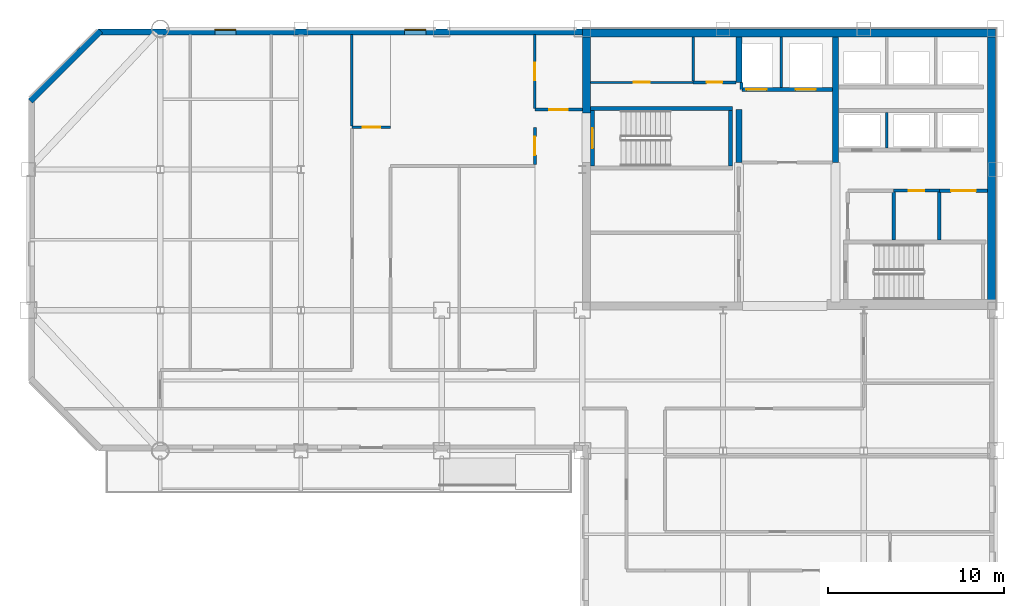
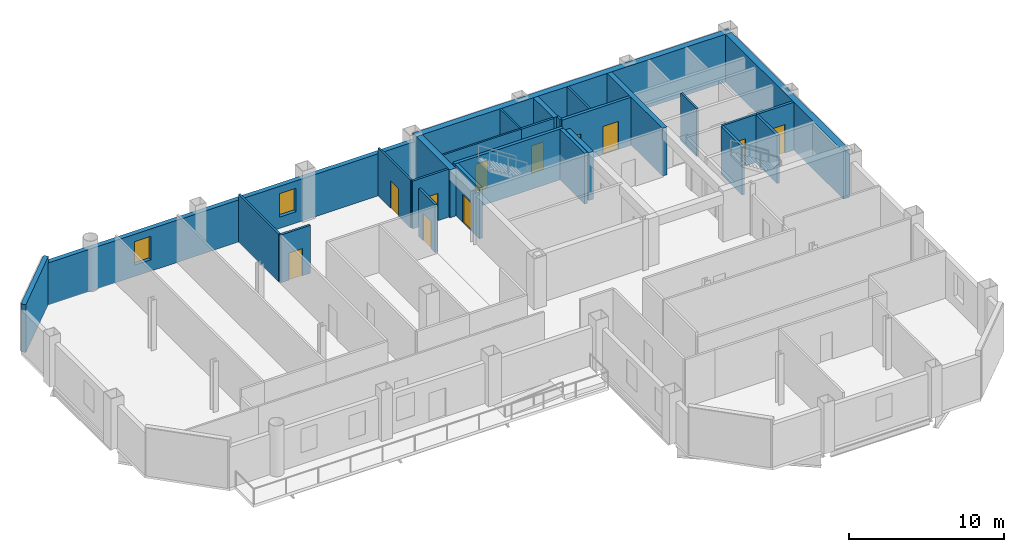
# One storey, part 6 of 11: 27 walls, 11 doors, 2 windows, 13 openings.
"""IFC4 building model written with IfcOpenShell, lengths in metres."""

from ifc_helpers import new_model, si_unit, direction, frame, frame_2d, origin, place, context, subcontext, project, spatial, rectangle, extrude, material, layer, layer_set, type_object, element, fill, save


model = new_model("IFC4")

# Units and contexts
model_context = context("Model", 3, precision=1e-05, world=origin(), true_north=direction((0.0, 1.0)))
body_context = subcontext(model_context, "Body", "Model", "MODEL_VIEW")
ifc_project = project(units=[si_unit("LENGTHUNIT", "METRE"), si_unit("AREAUNIT", "SQUARE_METRE"), si_unit("VOLUMEUNIT", "CUBIC_METRE"), si_unit("PLANEANGLEUNIT", "RADIAN"), si_unit("MASSUNIT", "GRAM", prefix="KILO")], contexts=[model_context])

# Site, building, storey
site_placement = place(None, origin())
site = spatial("IfcSite", under=ifc_project, at=site_placement, CompositionType="ELEMENT")
building_placement = place(site_placement, origin())
building = spatial("IfcBuilding", under=site, at=building_placement, Name="Qianrong Seaharbour Tower", CompositionType="ELEMENT")
storey_placement = place(building_placement, frame((0.0, 0.0, 273.800048828125)))
storey = spatial("IfcBuildingStorey", under=building, at=storey_placement, Name="L66", CompositionType="ELEMENT", Elevation=273.800048828125)

# Walls
ifc_material_1 = material(Name="Concrete C60/75", Category="concrete")
ifc_layer_1 = layer(ifc_material_1, 0.4599609375)
ifc_layer_set_1 = layer_set([ifc_layer_1], Name="Concrete C60/75")
wall_type_1 = type_object("IfcWallType", Name="WALL-CORE-460", PredefinedType="SHEAR", material=ifc_layer_set_1)
wall_1_placement = place(storey_placement, frame((40.5, 51.77001953125, 0.0), z_axis=(0.0, 0.0, 1.0), x_axis=(1.0, 0.0, 0.0)))
element("IfcWall", 1, at=wall_1_placement, inside=storey, type_object=wall_type_1, Name="L66 North Core Shear Wall", PredefinedType="SHEAR", context=body_context, shape_type="SweptSolid", body=[
    extrude(rectangle(XDim=23.5, YDim=0.4599609375, at=frame_2d((11.75, 0.0))), origin(), (0.0, 0.0, 1.0), 3.77490234375),
])
wall_2_placement = place(storey_placement, frame((63.77001953125, 36.320068359375, 0.0), z_axis=(0.0, 0.0, 1.0), x_axis=(0.0, 1.0, 0.0)))
element("IfcWall", 2, at=wall_2_placement, inside=storey, type_object=wall_type_1, Name="L66 East Core Shear Wall", PredefinedType="SHEAR", context=body_context, shape_type="SweptSolid", body=[
    extrude(rectangle(XDim=15.219970703125, YDim=0.4599609375, at=frame_2d((7.60986328125, 0.0))), origin(), (0.0, 0.0, 1.0), 3.77490234375),
])
wall_3_placement = place(storey_placement, frame((40.72998046875, 47.199951171875, 0.0), z_axis=(0.0, 0.0, 1.0), x_axis=(0.0, 1.0, 0.0)))
element("IfcWall", 3, at=wall_3_placement, inside=storey, type_object=wall_type_1, Name="L66 West Core Shear Wall North", PredefinedType="SHEAR", context=body_context, shape_type="SweptSolid", body=[
    extrude(rectangle(XDim=4.340087890625, YDim=0.4599609375, at=frame_2d((2.169921875, 0.0))), origin(), (0.0, 0.0, 1.0), 3.77490234375),
])
ifc_material_2 = material(Name="Concrete C50/60", Category="concrete")
ifc_layer_2 = layer(ifc_material_2, 0.35009765625)
ifc_layer_set_2 = layer_set([ifc_layer_2], Name="Concrete C50/60")
wall_type_2 = type_object("IfcWallType", Name="WALL-CORE-INT-350", PredefinedType="SHEAR", material=ifc_layer_set_2)
wall_4_placement = place(storey_placement, frame((49.39990234375, 44.39990234375, 0.0), z_axis=(0.0, 0.0, 1.0), x_axis=(0.0, 1.0, 0.0)))
element("IfcWall", 4, at=wall_4_placement, inside=storey, type_object=wall_type_2, Name="L66 Internal Core Shear Wall IW1N1", PredefinedType="SHEAR", context=body_context, shape_type="SweptSolid", body=[
    extrude(rectangle(XDim=3.0, YDim=0.35009765625, at=frame_2d((1.5, 0.0))), origin(), (0.0, 0.0, 1.0), 3.77490234375),
])
wall_5_placement = place(storey_placement, frame((49.39990234375, 48.949951171875, 0.0), z_axis=(0.0, 0.0, 1.0), x_axis=(0.0, 1.0, 0.0)))
element("IfcWall", 5, at=wall_5_placement, inside=storey, type_object=wall_type_2, Name="L66 Internal Core Shear Wall IW1N2", PredefinedType="SHEAR", context=body_context, shape_type="SweptSolid", body=[
    extrude(rectangle(XDim=2.590087890625, YDim=0.35009765625, at=frame_2d((1.294921875, 0.0))), origin(), (0.0, 0.0, 1.0), 3.77490234375),
])
wall_6_placement = place(storey_placement, frame((54.89990234375, 44.39990234375, 0.0), z_axis=(0.0, 0.0, 1.0), x_axis=(0.0, 1.0, 0.0)))
element("IfcWall", 6, at=wall_6_placement, inside=storey, type_object=wall_type_2, Name="L66 Internal Core Shear Wall IW2N", PredefinedType="SHEAR", context=body_context, shape_type="SweptSolid", body=[
    extrude(rectangle(XDim=7.14013671875, YDim=0.35009765625, at=frame_2d((3.570068359375, 0.0))), origin(), (0.0, 0.0, 1.0), 3.77490234375),
])

# Wall, opening, door
ifc_material_3 = material(Name="Fire-rated acoustic gypsum board partition")
ifc_layer_3 = layer(ifc_material_3, 0.1650390625)
ifc_layer_set_3 = layer_set([ifc_layer_3], Name="Fire-rated acoustic gypsum board partition")
wall_type_3 = type_object("IfcWallType", Name="WALL-CORR-PART-165", PredefinedType="PARTITIONING", material=ifc_layer_set_3)
wall_7_placement = place(storey_placement, frame((37.800048828125, 47.39990234375, 0.0), z_axis=(0.0, 0.0, 1.0), x_axis=(1.0, 0.0, 0.0)))
wall_7 = element("IfcWall", 7, at=wall_7_placement, inside=storey, type_object=wall_type_3, Name="L66 Interior Partition Wall 001", PredefinedType="PARTITIONING", context=body_context, shape_type="SweptSolid", body=[
    extrude(rectangle(XDim=2.699951171875, YDim=0.1650390625, at=frame_2d((1.35009765625, 0.0))), origin(), (0.0, 0.0, 1.0), 3.77490234375),
])
opening_1_placement = place(wall_7_placement, frame((0.824951171875, 0.0, 0.0)))
opening_1 = element("IfcOpeningElement", 8, at=opening_1_placement, cuts=wall_7, Name="Opening DC-01", PredefinedType="OPENING", context=body_context, shape_type="SweptSolid", body=[
    extrude(rectangle(XDim=1.050048828125, YDim=2.14990234375, at=frame_2d((0.52490234375, 1.074951171875))), frame((0.0, 0.092529296875, 0.0), z_axis=(0.0, -1.0, 0.0), x_axis=(1.0, 0.0, 0.0)), (0.0, 0.0, 1.0), 0.18505859375),
])
ifc_material_4 = material(Name="Acoustic timber and galvanized steel fire door assembly", Category="steel")
door_type_1 = type_object("IfcDoorType", Name="DOOR-CORR-FD60-1050x2150", OperationType="NOTDEFINED", PredefinedType="DOOR", material=ifc_material_4)
door_1_placement = place(opening_1_placement, origin())
door_1 = element("IfcDoor", 9, at=door_1_placement, inside=storey, type_object=door_type_1, Name="L66 Smokeproof Stair Vestibule ST-1 Door", OperationType="SINGLE_SWING_LEFT", OverallHeight=2.14990234375, OverallWidth=1.050048828125, PredefinedType="DOOR", context=body_context, shape_type="SweptSolid", body=[
    extrude(rectangle(XDim=1.050048828125, YDim=2.14990234375, at=frame_2d((0.52490234375, 1.074951171875))), frame((0.0, 0.02490234375, 0.0), z_axis=(0.0, -1.0, 0.0), x_axis=(1.0, 0.0, 0.0)), (0.0, 0.0, 1.0), 0.050048828125),
])
fill(opening_1, door_1)

wall_8_placement = place(storey_placement, frame((37.800048828125, 44.2744140625, 0.0), z_axis=(0.0, 0.0, 1.0), x_axis=(0.0, 1.0, 0.0)))
wall_8 = element("IfcWall", 10, at=wall_8_placement, inside=storey, type_object=wall_type_3, Name="L66 Interior Partition Wall 002", PredefinedType="PARTITIONING", context=body_context, shape_type="SweptSolid", body=[
    extrude(rectangle(XDim=2.12548828125, YDim=0.1650390625, at=frame_2d((1.062744140625, 0.0))), origin(), (0.0, 0.0, 1.0), 3.77490234375),
])
opening_2_placement = place(wall_8_placement, frame((0.537841796875, 0.0, 0.0)))
opening_2 = element("IfcOpeningElement", 11, at=opening_2_placement, cuts=wall_8, Name="Opening DC-01", PredefinedType="OPENING", context=body_context, shape_type="SweptSolid", body=[
    extrude(rectangle(XDim=1.050048828125, YDim=2.14990234375, at=frame_2d((0.52490234375, 1.074951171875))), frame((0.0, 0.092529296875, 0.0), z_axis=(0.0, -1.0, 0.0), x_axis=(1.0, 0.0, 0.0)), (0.0, 0.0, 1.0), 0.18505859375),
])
door_2_placement = place(opening_2_placement, origin())
door_2 = element("IfcDoor", 12, at=door_2_placement, inside=storey, type_object=door_type_1, Name="L66 Smokeproof Stair Vestibule ST-1 Door", OperationType="SINGLE_SWING_RIGHT", OverallHeight=2.14990234375, OverallWidth=1.050048828125, PredefinedType="DOOR", context=body_context, shape_type="SweptSolid", body=[
    extrude(rectangle(XDim=1.050048828125, YDim=2.14990234375, at=frame_2d((0.52490234375, 1.074951171875))), frame((0.0, 0.02490234375, 0.0), z_axis=(0.0, -1.0, 0.0), x_axis=(1.0, 0.0, 0.0)), (0.0, 0.0, 1.0), 0.050048828125),
])
fill(opening_2, door_2)

wall_9_placement = place(storey_placement, frame((46.800048828125, 48.949951171875, 0.0), z_axis=(0.0, 0.0, 1.0), x_axis=(1.0, 0.0, 0.0)))
wall_9 = element("IfcWall", 13, at=wall_9_placement, inside=storey, type_object=wall_type_3, Name="L66 Interior Partition Wall 005", PredefinedType="PARTITIONING", context=body_context, shape_type="SweptSolid", body=[
    extrude(rectangle(XDim=2.432861328125, YDim=0.1650390625, at=frame_2d((1.21630859375, 0.0))), origin(), (0.0, 0.0, 1.0), 3.77490234375),
])
opening_3_placement = place(wall_9_placement, frame((0.7666015625, 0.0, 0.0)))
opening_3 = element("IfcOpeningElement", 14, at=opening_3_placement, cuts=wall_9, Name="Opening DS-01", PredefinedType="OPENING", context=body_context, shape_type="SweptSolid", body=[
    extrude(rectangle(XDim=0.89990234375, YDim=2.14990234375, at=frame_2d((0.449951171875, 1.074951171875))), frame((0.0, 0.092529296875, 0.0), z_axis=(0.0, -1.0, 0.0), x_axis=(1.0, 0.0, 0.0)), (0.0, 0.0, 1.0), 0.18505859375),
])
door_type_2 = type_object("IfcDoorType", Name="DOOR-STORE-900x2150", OperationType="NOTDEFINED", PredefinedType="DOOR", material=ifc_material_4)
door_3_placement = place(opening_3_placement, origin())
door_3 = element("IfcDoor", 15, at=door_3_placement, inside=storey, type_object=door_type_2, Name="L66 Janitor Store Room Door", OperationType="SINGLE_SWING_LEFT", OverallHeight=2.14990234375, OverallWidth=0.89990234375, PredefinedType="DOOR", context=body_context, shape_type="SweptSolid", body=[
    extrude(rectangle(XDim=0.89990234375, YDim=2.14990234375, at=frame_2d((0.449951171875, 1.074951171875))), frame((0.0, 0.02490234375, 0.0), z_axis=(0.0, -1.0, 0.0), x_axis=(1.0, 0.0, 0.0)), (0.0, 0.0, 1.0), 0.050048828125),
])
fill(opening_3, door_3)

wall_10_placement = place(storey_placement, frame((60.800048828125, 42.800048828125, 0.0), z_axis=(0.0, 0.0, 1.0), x_axis=(-1.0, 0.0, 0.0)))
wall_10 = element("IfcWall", 16, at=wall_10_placement, inside=storey, type_object=wall_type_3, Name="L66 Interior Partition Wall 012", PredefinedType="PARTITIONING", context=body_context, shape_type="SweptSolid", body=[
    extrude(rectangle(XDim=2.60009765625, YDim=0.1650390625, at=frame_2d((1.300048828125, 0.0))), origin(), (0.0, 0.0, 1.0), 3.77490234375),
])
opening_4_placement = place(wall_10_placement, frame((0.85009765625, 0.0, 0.0)))
opening_4 = element("IfcOpeningElement", 17, at=opening_4_placement, cuts=wall_10, Name="Opening DS-01", PredefinedType="OPENING", context=body_context, shape_type="SweptSolid", body=[
    extrude(rectangle(XDim=0.89990234375, YDim=2.14990234375, at=frame_2d((0.449951171875, 1.074951171875))), frame((0.0, 0.092529296875, 0.0), z_axis=(0.0, -1.0, 0.0), x_axis=(1.0, 0.0, 0.0)), (0.0, 0.0, 1.0), 0.18505859375),
])
door_4_placement = place(opening_4_placement, origin())
door_4 = element("IfcDoor", 18, at=door_4_placement, inside=storey, type_object=door_type_2, Name="L66 Supply Store Room Door", OperationType="SINGLE_SWING_RIGHT", OverallHeight=2.14990234375, OverallWidth=0.89990234375, PredefinedType="DOOR", context=body_context, shape_type="SweptSolid", body=[
    extrude(rectangle(XDim=0.89990234375, YDim=2.14990234375, at=frame_2d((0.449951171875, 1.074951171875))), frame((0.0, 0.02490234375, 0.0), z_axis=(0.0, -1.0, 0.0), x_axis=(1.0, 0.0, 0.0)), (0.0, 0.0, 1.0), 0.050048828125),
])
fill(opening_4, door_4)

wall_11_placement = place(storey_placement, frame((27.39990234375, 46.39990234375, 0.0), z_axis=(0.0, 0.0, 1.0), x_axis=(1.0, 0.0, 0.0)))
wall_11 = element("IfcWall", 19, at=wall_11_placement, inside=storey, type_object=wall_type_3, Name="L66 Interior Partition Wall 025", PredefinedType="PARTITIONING", context=body_context, shape_type="SweptSolid", body=[
    extrude(rectangle(XDim=2.2001953125, YDim=0.1650390625, at=frame_2d((1.10009765625, 0.0))), origin(), (0.0, 0.0, 1.0), 3.77490234375),
])
opening_5_placement = place(wall_11_placement, frame((0.60009765625, 0.0, 0.0)))
opening_5 = element("IfcOpeningElement", 20, at=opening_5_placement, cuts=wall_11, Name="Opening DO-01", PredefinedType="OPENING", context=body_context, shape_type="SweptSolid", body=[
    extrude(rectangle(XDim=1.0, YDim=2.14990234375, at=frame_2d((0.5, 1.074951171875))), frame((0.0, 0.092529296875, 0.0), z_axis=(0.0, -1.0, 0.0), x_axis=(1.0, 0.0, 0.0)), (0.0, 0.0, 1.0), 0.18505859375),
])
door_type_3 = type_object("IfcDoorType", Name="DOOR-OFFICE-1000x2150", OperationType="NOTDEFINED", PredefinedType="DOOR", material=ifc_material_4)
door_5_placement = place(opening_5_placement, origin())
door_5 = element("IfcDoor", 21, at=door_5_placement, inside=storey, type_object=door_type_3, Name="L66 Maritime Tribunal Hearing Hall Door", OperationType="SINGLE_SWING_RIGHT", OverallHeight=2.14990234375, OverallWidth=1.0, PredefinedType="DOOR", context=body_context, shape_type="SweptSolid", body=[
    extrude(rectangle(XDim=1.0, YDim=2.14990234375, at=frame_2d((0.5, 1.074951171875))), frame((0.0, 0.02490234375, 0.0), z_axis=(0.0, -1.0, 0.0), x_axis=(1.0, 0.0, 0.0)), (0.0, 0.0, 1.0), 0.050048828125),
])
fill(opening_5, door_5)

# Wall
ifc_material_5 = material(Name="Unitised buff brick on Precast concrete C45/55", Category="masonry")
ifc_layer_4 = layer(ifc_material_5, 0.340087890625)
ifc_layer_set_4 = layer_set([ifc_layer_4], Name="Unitised buff brick on Precast concrete C45/55")
wall_type_4 = type_object("IfcWallType", Name="WALL-EXT-BRICK-BUFF-340", PredefinedType="SOLIDWALL", material=ifc_layer_set_4)
wall_12_placement = place(storey_placement, frame((9.1201171875, 47.8798828125, 0.0), z_axis=(0.0, 0.0, 1.0), x_axis=(0.707106781187, 0.707106781187, 0.0)))
element("IfcWall", 22, at=wall_12_placement, inside=storey, type_object=wall_type_4, Name="L66 Exterior Masonry Facade Wall E04", PredefinedType="SOLIDWALL", context=body_context, shape_type="SweptSolid", body=[
    extrude(rectangle(XDim=5.65673828125, YDim=0.340087890625, at=frame_2d((2.828369140625, 0.0))), origin(), (0.0, 0.0, 1.0), 3.77490234375),
])

# Wall, openings, windows
wall_13_placement = place(storey_placement, frame((13.0, 51.830078125, 0.0), z_axis=(0.0, 0.0, 1.0), x_axis=(1.0, 0.0, 0.0)))
wall_13 = element("IfcWall", 23, at=wall_13_placement, inside=storey, type_object=wall_type_4, Name="L66 Exterior Masonry Facade Wall NORTH_WING", PredefinedType="SOLIDWALL", context=body_context, shape_type="SweptSolid", body=[
    extrude(rectangle(XDim=27.52001953125, YDim=0.340087890625, at=frame_2d((13.760009765625, 0.0))), origin(), (0.0, 0.0, 1.0), 3.324951171875),
])
opening_6_placement = place(wall_13_placement, frame((6.60009765625, 0.0, 0.89990234375)))
opening_6 = element("IfcOpeningElement", 24, at=opening_6_placement, cuts=wall_13, Name="Opening WN-01", PredefinedType="OPENING", context=body_context, shape_type="SweptSolid", body=[
    extrude(rectangle(XDim=1.199951171875, YDim=1.85009765625, at=frame_2d((0.60009765625, 0.925048828125))), frame((0.0, 0.18017578125, 0.0), z_axis=(0.0, -1.0, 0.0), x_axis=(1.0, 0.0, 0.0)), (0.0, 0.0, 1.0), 0.360107421875),
])
opening_7_placement = place(wall_13_placement, frame((17.39990234375, 0.0, 0.89990234375)))
opening_7 = element("IfcOpeningElement", 25, at=opening_7_placement, cuts=wall_13, Name="Opening WN-01", PredefinedType="OPENING", context=body_context, shape_type="SweptSolid", body=[
    extrude(rectangle(XDim=1.199951171875, YDim=1.85009765625, at=frame_2d((0.60009765625, 0.925048828125))), frame((0.0, 0.18017578125, 0.0), z_axis=(0.0, -1.0, 0.0), x_axis=(1.0, 0.0, 0.0)), (0.0, 0.0, 1.0), 0.360107421875),
])
ifc_material_6 = material(Name="Insulated low-e double glazing in thermally broken aluminium 6063-T6 frame", Category="aluminium")
window_type = type_object("IfcWindowType", Name="WIN-PUNCH-1200x1850", PartitioningType="DOUBLE_PANEL_VERTICAL", PredefinedType="WINDOW", material=ifc_material_6)
window_1_placement = place(opening_6_placement, origin())
window_1 = element("IfcWindow", 26, at=window_1_placement, inside=storey, type_object=window_type, Name="L66 Deep-Set Punched Window 05.02", OverallHeight=1.85009765625, OverallWidth=1.199951171875, PartitioningType="DOUBLE_PANEL_VERTICAL", PredefinedType="WINDOW", context=body_context, shape_type="SweptSolid", body=[
    extrude(rectangle(XDim=1.199951171875, YDim=1.85009765625, at=frame_2d((0.60009765625, 0.925048828125))), frame((0.0, 0.150146484375, 0.0), z_axis=(0.0, -1.0, 0.0), x_axis=(1.0, 0.0, 0.0)), (0.0, 0.0, 1.0), 0.06005859375),
])
fill(opening_6, window_1)
window_2_placement = place(opening_7_placement, origin())
window_2 = element("IfcWindow", 27, at=window_2_placement, inside=storey, type_object=window_type, Name="L66 Deep-Set Punched Window 05.05", OverallHeight=1.85009765625, OverallWidth=1.199951171875, PartitioningType="DOUBLE_PANEL_VERTICAL", PredefinedType="WINDOW", context=body_context, shape_type="SweptSolid", body=[
    extrude(rectangle(XDim=1.199951171875, YDim=1.85009765625, at=frame_2d((0.60009765625, 0.925048828125))), frame((0.0, 0.150146484375, 0.0), z_axis=(0.0, -1.0, 0.0), x_axis=(1.0, 0.0, 0.0)), (0.0, 0.0, 1.0), 0.06005859375),
])
fill(opening_7, window_2)

# Wall, opening, door
ifc_material_7 = material(Name="Double fire-rated gypsum board acoustic partition")
ifc_layer_5 = layer(ifc_material_7, 0.18994140625)
ifc_layer_set_5 = layer_set([ifc_layer_5], Name="Double fire-rated gypsum board acoustic partition")
wall_type_5 = type_object("IfcWallType", Name="WALL-FIRE-PART-190", PredefinedType="PARTITIONING", material=ifc_layer_set_5)
wall_14_placement = place(storey_placement, frame((63.5400390625, 42.800048828125, 0.0), z_axis=(0.0, 0.0, 1.0), x_axis=(-1.0, 0.0, 0.0)))
wall_14 = element("IfcWall", 28, at=wall_14_placement, inside=storey, type_object=wall_type_5, Name="L66 Interior Partition Wall 013", PredefinedType="PARTITIONING", context=body_context, shape_type="SweptSolid", body=[
    extrude(rectangle(XDim=2.739990234375, YDim=0.18994140625, at=frame_2d((1.3701171875, 0.0))), origin(), (0.0, 0.0, 1.0), 3.77490234375),
])
opening_8_placement = place(wall_14_placement, frame((0.669921875, 0.0, 0.0)))
opening_8 = element("IfcOpeningElement", 29, at=opening_8_placement, cuts=wall_14, Name="Opening DP-01", PredefinedType="OPENING", context=body_context, shape_type="SweptSolid", body=[
    extrude(rectangle(XDim=1.39990234375, YDim=2.25, at=frame_2d((0.699951171875, 1.125))), frame((0.0, 0.10498046875, 0.0), z_axis=(0.0, -1.0, 0.0), x_axis=(1.0, 0.0, 0.0)), (0.0, 0.0, 1.0), 0.2099609375),
])
door_type_4 = type_object("IfcDoorType", Name="DOOR-PLANT-PAIR-1400x2250", OperationType="DOUBLE_DOOR_SINGLE_SWING", PredefinedType="DOOR", material=ifc_material_4)
door_6_placement = place(opening_8_placement, origin())
door_6 = element("IfcDoor", 30, at=door_6_placement, inside=storey, type_object=door_type_4, Name="L66 Building Metering Room Door", OperationType="DOUBLE_DOOR_SINGLE_SWING", OverallHeight=2.25, OverallWidth=1.39990234375, PredefinedType="DOOR", context=body_context, shape_type="SweptSolid", body=[
    extrude(rectangle(XDim=1.39990234375, YDim=2.25, at=frame_2d((0.699951171875, 1.125))), frame((0.0, 0.02490234375, 0.0), z_axis=(0.0, -1.0, 0.0), x_axis=(1.0, 0.0, 0.0)), (0.0, 0.0, 1.0), 0.050048828125),
])
fill(opening_8, door_6)

# Walls
for number, where, z_axis, x_axis, name in (
    (31, (58.199951171875, 42.712890625, 0.0), (0.0, 0.0, 1.0), (0.0, -1.0, 0.0), "L66 Interior Partition Wall 015"),
    (32, (60.800048828125, 42.712890625, 0.0), (0.0, 0.0, 1.0), (0.0, -1.0, 0.0), "L66 Interior Partition Wall 016"),
):
    element("IfcWall", number, at=place(storey_placement, frame(where, z_axis=z_axis, x_axis=x_axis)), inside=storey, type_object=wall_type_5, Name=name, PredefinedType="PARTITIONING", context=body_context, shape_type="SweptSolid", body=[
        extrude(rectangle(XDim=2.73095703125, YDim=0.18994140625, at=frame_2d((1.365478515625, 0.0))), origin(), (0.0, 0.0, 1.0), 3.77490234375),
    ])
ifc_material_8 = material(Name="Acoustic gypsum board stud partition")
ifc_layer_6 = layer(ifc_material_8, 0.14501953125)
ifc_layer_set_6 = layer_set([ifc_layer_6], Name="Acoustic gypsum board stud partition")
wall_type_6 = type_object("IfcWallType", Name="WALL-OFFICE-PART-145", PredefinedType="PARTITIONING", material=ifc_layer_set_6)
wall_15_placement = place(storey_placement, frame((27.39990234375, 51.66796875, 0.0), z_axis=(0.0, 0.0, 1.0), x_axis=(0.0, -1.0, 0.0)))
element("IfcWall", 33, at=wall_15_placement, inside=storey, type_object=wall_type_6, Name="L66 Interior Partition Wall 046", PredefinedType="PARTITIONING", context=body_context, shape_type="SweptSolid", body=[
    extrude(rectangle(XDim=5.193359375, YDim=0.14501953125, at=frame_2d((2.5966796875, 0.0))), origin(), (0.0, 0.0, 1.0), 3.77490234375),
])
ifc_material_9 = material(Name="Fire-rated gypsum board on steel studs", Category="steel")
ifc_layer_7 = layer(ifc_material_9, 0.14990234375)
ifc_layer_set_7 = layer_set([ifc_layer_7], Name="Fire-rated gypsum board on steel studs")
wall_type_7 = type_object("IfcWallType", Name="WALL-SHAFT-DIV-150", PredefinedType="PARTITIONING", material=ifc_layer_set_7)
wall_16_placement = place(storey_placement, frame((51.800048828125, 48.669921875, 0.0), z_axis=(0.0, 0.0, 1.0), x_axis=(0.0, 1.0, 0.0)))
element("IfcWall", 34, at=wall_16_placement, inside=storey, type_object=wall_type_7, Name="L66 Firefighting Lift Shaft Divider Wall", PredefinedType="PARTITIONING", context=body_context, shape_type="SweptSolid", body=[
    extrude(rectangle(XDim=2.8701171875, YDim=0.14990234375, at=frame_2d((1.43505859375, 0.0))), origin(), (0.0, 0.0, 1.0), 3.77490234375),
])
wall_17_placement = place(storey_placement, frame((49.550048828125, 48.550048828125, 0.0), z_axis=(0.0, 0.0, 1.0), x_axis=(0.0, 1.0, 0.0)))
element("IfcWall", 35, at=wall_17_placement, inside=storey, type_object=wall_type_7, Name="L66 Firefighting Lift Shaft West Return Wall", PredefinedType="PARTITIONING", context=body_context, shape_type="SweptSolid", body=[
    extrude(rectangle(XDim=0.39990234375, YDim=0.14990234375, at=frame_2d((0.199951171875, 0.0))), origin(), (0.0, 0.0, 1.0), 3.77490234375),
])
wall_18_placement = place(storey_placement, frame((57.800048828125, 45.2099609375, 0.0), z_axis=(0.0, 0.0, 1.0), x_axis=(0.0, 1.0, 0.0)))
element("IfcWall", 36, at=wall_18_placement, inside=storey, type_object=wall_type_7, Name="L66 P3 Lift Hoistway Divider 2", PredefinedType="PARTITIONING", context=body_context, shape_type="SweptSolid", body=[
    extrude(rectangle(XDim=2.030029296875, YDim=0.14990234375, at=frame_2d((1.01513671875, 0.0))), origin(), (0.0, 0.0, 1.0), 3.77490234375),
])

# Wall, openings, doors
ifc_layer_8 = layer(ifc_material_9, 0.219970703125)
ifc_layer_set_8 = layer_set([ifc_layer_8], Name="Fire-rated gypsum board on steel studs")
wall_type_8 = type_object("IfcWallType", Name="WALL-SHAFT-GYP220", PredefinedType="PARTITIONING", material=ifc_layer_set_8)
wall_19_placement = place(storey_placement, frame((54.7099609375, 48.550048828125, 0.0), z_axis=(0.0, 0.0, 1.0), x_axis=(-1.0, 0.0, 0.0)))
wall_19 = element("IfcWall", 37, at=wall_19_placement, inside=storey, type_object=wall_type_8, Name="L66 Firefighting Lift Shaft Front Wall", PredefinedType="PARTITIONING", context=body_context, shape_type="SweptSolid", body=[
    extrude(rectangle(XDim=5.119873046875, YDim=0.219970703125, at=frame_2d((2.56005859375, 0.0))), origin(), (0.0, 0.0, 1.0), 3.77490234375),
])
opening_9_placement = place(wall_19_placement, frame((3.735107421875, 0.0, 0.0)))
opening_9 = element("IfcOpeningElement", 38, at=opening_9_placement, cuts=wall_19, Name="Opening LD-01", PredefinedType="OPENING", context=body_context, shape_type="SweptSolid", body=[
    extrude(rectangle(XDim=1.14990234375, YDim=2.199951171875, at=frame_2d((0.574951171875, 1.10009765625))), frame((0.0, 0.1201171875, 0.0), z_axis=(0.0, -1.0, 0.0), x_axis=(1.0, 0.0, 0.0)), (0.0, 0.0, 1.0), 0.239990234375),
])
opening_10_placement = place(wall_19_placement, frame((0.93505859375, 0.0, 0.0)))
opening_10 = element("IfcOpeningElement", 39, at=opening_10_placement, cuts=wall_19, Name="Opening LD-01", PredefinedType="OPENING", context=body_context, shape_type="SweptSolid", body=[
    extrude(rectangle(XDim=1.14990234375, YDim=2.199951171875, at=frame_2d((0.574951171875, 1.10009765625))), frame((0.0, 0.1201171875, 0.0), z_axis=(0.0, -1.0, 0.0), x_axis=(1.0, 0.0, 0.0)), (0.0, 0.0, 1.0), 0.239990234375),
])
ifc_material_10 = material(Name="Stainless steel SUS316L bi-parting lift landing door", Category="steel")
door_type_5 = type_object("IfcDoorType", Name="DOOR-LIFT-FF-1150x2200", OperationType="DOUBLE_DOOR_SLIDING", PredefinedType="DOOR", material=ifc_material_10)
door_7_placement = place(opening_9_placement, origin())
door_7 = element("IfcDoor", 40, at=door_7_placement, inside=storey, type_object=door_type_5, Name="L66 FL-1 Firefighting Lift Landing Door", OperationType="DOUBLE_DOOR_SLIDING", OverallHeight=2.199951171875, OverallWidth=1.14990234375, PredefinedType="DOOR", context=body_context, shape_type="SweptSolid", body=[
    extrude(rectangle(XDim=1.14990234375, YDim=2.199951171875, at=frame_2d((0.574951171875, 1.10009765625))), frame((0.0, 0.02490234375, 0.0), z_axis=(0.0, -1.0, 0.0), x_axis=(1.0, 0.0, 0.0)), (0.0, 0.0, 1.0), 0.050048828125),
])
fill(opening_9, door_7)
door_8_placement = place(opening_10_placement, origin())
door_8 = element("IfcDoor", 41, at=door_8_placement, inside=storey, type_object=door_type_5, Name="L66 FL-2 Firefighting Lift Landing Door", OperationType="DOUBLE_DOOR_SLIDING", OverallHeight=2.199951171875, OverallWidth=1.14990234375, PredefinedType="DOOR", context=body_context, shape_type="SweptSolid", body=[
    extrude(rectangle(XDim=1.14990234375, YDim=2.199951171875, at=frame_2d((0.574951171875, 1.10009765625))), frame((0.0, 0.02490234375, 0.0), z_axis=(0.0, -1.0, 0.0), x_axis=(1.0, 0.0, 0.0)), (0.0, 0.0, 1.0), 0.050048828125),
])
fill(opening_10, door_8)

# Wall
ifc_layer_9 = layer(ifc_material_2, 0.239990234375)
ifc_layer_set_9 = layer_set([ifc_layer_9], Name="Concrete C50/60")
wall_type_9 = type_object("IfcWallType", Name="WALL-SHAFT-RC240", PredefinedType="SOLIDWALL", material=ifc_layer_set_9)
wall_20_placement = place(storey_placement, frame((40.9599609375, 47.469970703125, 0.0), z_axis=(0.0, 0.0, 1.0), x_axis=(1.0, 0.0, 0.0)))
element("IfcWall", 42, at=wall_20_placement, inside=storey, type_object=wall_type_9, Name="L66 ST-1 Structural Stair Core Wall N", PredefinedType="SOLIDWALL", context=body_context, shape_type="SweptSolid", body=[
    extrude(rectangle(XDim=8.080078125, YDim=0.239990234375, at=frame_2d((4.0400390625, 0.0))), origin(), (0.0, 0.0, 1.0), 4.0),
])

# Wall, opening, door
wall_21_placement = place(storey_placement, frame((41.080078125, 47.35009765625, 0.0), z_axis=(0.0, 0.0, 1.0), x_axis=(0.0, -1.0, 0.0)))
wall_21 = element("IfcWall", 43, at=wall_21_placement, inside=storey, type_object=wall_type_9, Name="L66 ST-1 Structural Stair Core Wall W", PredefinedType="SOLIDWALL", context=body_context, shape_type="SweptSolid", body=[
    extrude(rectangle(XDim=3.150146484375, YDim=0.239990234375, at=frame_2d((1.5751953125, 0.0))), origin(), (0.0, 0.0, 1.0), 4.0),
])
opening_11_placement = place(wall_21_placement, frame((1.0, 0.0, 0.0)))
opening_11 = element("IfcOpeningElement", 44, at=opening_11_placement, cuts=wall_21, Name="Opening SD-01", PredefinedType="OPENING", context=body_context, shape_type="SweptSolid", body=[
    extrude(rectangle(XDim=1.14990234375, YDim=2.199951171875, at=frame_2d((0.574951171875, 1.10009765625))), frame((0.0, 0.1298828125, 0.0), z_axis=(0.0, -1.0, 0.0), x_axis=(1.0, 0.0, 0.0)), (0.0, 0.0, 1.0), 0.260009765625),
])
door_type_6 = type_object("IfcDoorType", Name="DOOR-STAIR-FD60-1150x2200", OperationType="NOTDEFINED", PredefinedType="DOOR", material=ifc_material_4)
door_9_placement = place(opening_11_placement, origin())
door_9 = element("IfcDoor", 45, at=door_9_placement, inside=storey, type_object=door_type_6, Name="L66 ST-1 Protected Stair Door", OperationType="SINGLE_SWING_LEFT", OverallHeight=2.199951171875, OverallWidth=1.14990234375, PredefinedType="DOOR", context=body_context, shape_type="SweptSolid", body=[
    extrude(rectangle(XDim=1.14990234375, YDim=2.199951171875, at=frame_2d((0.574951171875, 1.10009765625))), frame((0.0, 0.02490234375, 0.0), z_axis=(0.0, -1.0, 0.0), x_axis=(1.0, 0.0, 0.0)), (0.0, 0.0, 1.0), 0.050048828125),
])
fill(opening_11, door_9)

# Wall
wall_22_placement = place(storey_placement, frame((48.919921875, 44.199951171875, 0.0), z_axis=(0.0, 0.0, 1.0), x_axis=(0.0, 1.0, 0.0)))
element("IfcWall", 46, at=wall_22_placement, inside=storey, type_object=wall_type_9, Name="L66 ST-1 Structural Stair Core Wall E", PredefinedType="SOLIDWALL", context=body_context, shape_type="SweptSolid", body=[
    extrude(rectangle(XDim=3.150146484375, YDim=0.239990234375, at=frame_2d((1.5751953125, 0.0))), origin(), (0.0, 0.0, 1.0), 4.0),
])

# Wall, opening, door
ifc_material_11 = material(Name="Water-resistant cement board sanitary partition")
ifc_layer_10 = layer(ifc_material_11, 0.1298828125)
ifc_layer_set_10 = layer_set([ifc_layer_10], Name="Water-resistant cement board sanitary partition")
wall_type_10 = type_object("IfcWallType", Name="WALL-WET-PART-130", PredefinedType="PARTITIONING", material=ifc_layer_set_10)
wall_23_placement = place(storey_placement, frame((37.800048828125, 47.474609375, 0.0), z_axis=(0.0, 0.0, 1.0), x_axis=(0.0, 1.0, 0.0)))
wall_23 = element("IfcWall", 47, at=wall_23_placement, inside=storey, type_object=wall_type_10, Name="L66 Interior Partition Wall 003", PredefinedType="PARTITIONING", context=body_context, shape_type="SweptSolid", body=[
    extrude(rectangle(XDim=4.193359375, YDim=0.1298828125, at=frame_2d((2.0966796875, 0.0))), origin(), (0.0, 0.0, 1.0), 3.77490234375),
])
opening_12_placement = place(wall_23_placement, frame((1.5869140625, 0.0, 0.0)))
opening_12 = element("IfcOpeningElement", 48, at=opening_12_placement, cuts=wall_23, Name="Opening DAW-01", PredefinedType="OPENING", context=body_context, shape_type="SweptSolid", body=[
    extrude(rectangle(XDim=1.02001953125, YDim=2.14990234375, at=frame_2d((0.510009765625, 1.074951171875))), frame((0.0, 0.074951171875, 0.0), z_axis=(0.0, -1.0, 0.0), x_axis=(1.0, 0.0, 0.0)), (0.0, 0.0, 1.0), 0.14990234375),
])
door_type_7 = type_object("IfcDoorType", Name="DOOR-AWC-SLIDE-1020x2150", OperationType="SLIDING_TO_LEFT", PredefinedType="DOOR", material=ifc_material_4)
door_10_placement = place(opening_12_placement, origin())
door_10 = element("IfcDoor", 49, at=door_10_placement, inside=storey, type_object=door_type_7, Name="L66 Accessible Restroom WC Door", OperationType="SLIDING_TO_LEFT", OverallHeight=2.14990234375, OverallWidth=1.02001953125, PredefinedType="DOOR", context=body_context, shape_type="SweptSolid", body=[
    extrude(rectangle(XDim=1.02001953125, YDim=2.14990234375, at=frame_2d((0.510009765625, 1.074951171875))), frame((0.0, 0.02490234375, 0.0), z_axis=(0.0, -1.0, 0.0), x_axis=(1.0, 0.0, 0.0)), (0.0, 0.0, 1.0), 0.050048828125),
])
fill(opening_12, door_10)

wall_24_placement = place(storey_placement, frame((40.9599609375, 48.949951171875, 0.0), z_axis=(0.0, 0.0, 1.0), x_axis=(1.0, 0.0, 0.0)))
wall_24 = element("IfcWall", 50, at=wall_24_placement, inside=storey, type_object=wall_type_10, Name="L66 Interior Partition Wall 004", PredefinedType="PARTITIONING", context=body_context, shape_type="SweptSolid", body=[
    extrude(rectangle(XDim=5.840087890625, YDim=0.1298828125, at=frame_2d((2.919921875, 0.0))), origin(), (0.0, 0.0, 1.0), 3.77490234375),
])
opening_13_placement = place(wall_24_placement, frame((2.4599609375, 0.0, 0.0)))
opening_13 = element("IfcOpeningElement", 51, at=opening_13_placement, cuts=wall_24, Name="Opening DW-01", PredefinedType="OPENING", context=body_context, shape_type="SweptSolid", body=[
    extrude(rectangle(XDim=0.919921875, YDim=2.14990234375, at=frame_2d((0.4599609375, 1.074951171875))), frame((0.0, 0.074951171875, 0.0), z_axis=(0.0, -1.0, 0.0), x_axis=(1.0, 0.0, 0.0)), (0.0, 0.0, 1.0), 0.14990234375),
])
door_type_8 = type_object("IfcDoorType", Name="DOOR-WC-920x2150", OperationType="NOTDEFINED", PredefinedType="DOOR", material=ifc_material_4)
door_11_placement = place(opening_13_placement, origin())
door_11 = element("IfcDoor", 52, at=door_11_placement, inside=storey, type_object=door_type_8, Name="L66 Restroom WC Suite Door", OperationType="SINGLE_SWING_RIGHT", OverallHeight=2.14990234375, OverallWidth=0.919921875, PredefinedType="DOOR", context=body_context, shape_type="SweptSolid", body=[
    extrude(rectangle(XDim=0.919921875, YDim=2.14990234375, at=frame_2d((0.4599609375, 1.074951171875))), frame((0.0, 0.02490234375, 0.0), z_axis=(0.0, -1.0, 0.0), x_axis=(1.0, 0.0, 0.0)), (0.0, 0.0, 1.0), 0.050048828125),
])
fill(opening_13, door_11)

# Wall
wall_25_placement = place(storey_placement, frame((46.800048828125, 51.5400390625, 0.0), z_axis=(0.0, 0.0, 1.0), x_axis=(0.0, -1.0, 0.0)))
element("IfcWall", 53, at=wall_25_placement, inside=storey, type_object=wall_type_10, Name="L66 Interior Partition Wall 014", PredefinedType="PARTITIONING", context=body_context, shape_type="SweptSolid", body=[
    extrude(rectangle(XDim=2.515625, YDim=0.1298828125, at=frame_2d((1.2578125, 0.0))), origin(), (0.0, 0.0, 1.0), 3.77490234375),
])

save(model, "model.ifc")
